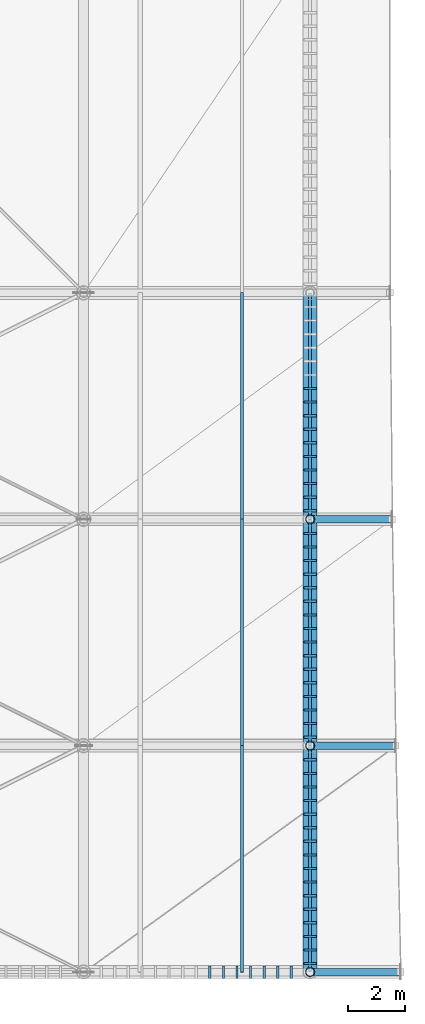
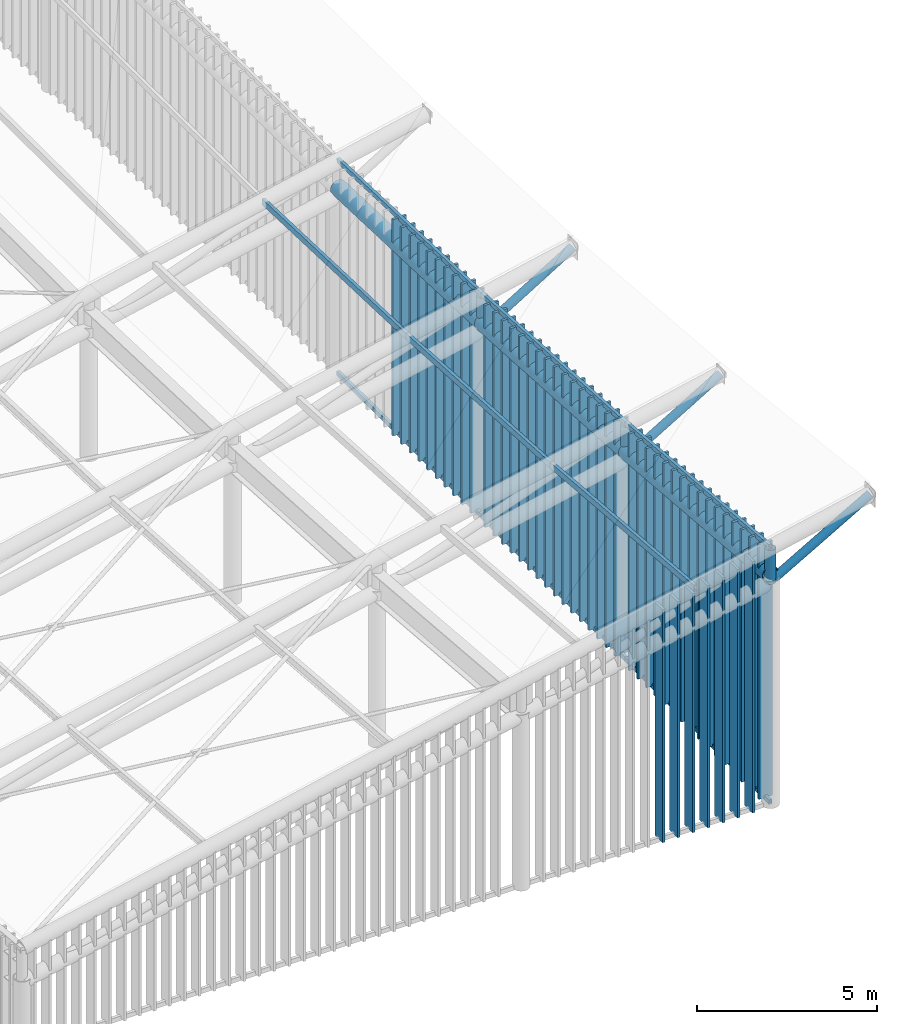
# One storey, part 6 of 25: 64 members, 3 beams.
"""IFC4 building model written with IfcOpenShell, lengths in metres."""

from ifc_helpers import new_model, si_unit, direction, frame, origin, origin_2d, place, context, subcontext, project, spatial, rectangle, hollow_rectangle, hollow_circle, extrude, material, material_profile, profile_set, type_object, element, save


model = new_model("IFC4")

# Units and contexts
model_context = context("Model", 3, precision=1e-05, world=origin(), true_north=direction((0.0, 1.0)))
body_context = subcontext(model_context, "Body", "Model", "MODEL_VIEW")
ifc_project = project(units=[si_unit("LENGTHUNIT", "METRE"), si_unit("AREAUNIT", "SQUARE_METRE"), si_unit("VOLUMEUNIT", "CUBIC_METRE"), si_unit("PLANEANGLEUNIT", "RADIAN"), si_unit("MASSUNIT", "GRAM", prefix="KILO")], contexts=[model_context])

# Site, building, storey
site_placement = place(None, origin())
site = spatial("IfcSite", under=ifc_project, at=site_placement, CompositionType="ELEMENT")
building_placement = place(site_placement, origin())
building = spatial("IfcBuilding", under=site, at=building_placement, Name="Haebicheon Civic Stadium", CompositionType="ELEMENT")
storey_placement = place(building_placement, frame((0.0, 0.0, 31.199951171875)))
storey = spatial("IfcBuildingStorey", under=building, at=storey_placement, Name="RF", CompositionType="ELEMENT", Elevation=31.199951171875)

# Members
ifc_material_1 = material(Name="White painted steel SM490", Category="steel")
ifc_material_profile_1 = material_profile(ifc_material_1, hollow_circle(Radius=0.1337890625, WallThickness=0.011962890625, at=origin_2d()), Name="CHS-267.4x12.0")
ifc_profile_set_1 = profile_set([ifc_material_profile_1], Name="White painted steel SM490")
member_type_1 = type_object("IfcMemberType", Name="BRC-CHS267", PredefinedType="BRACE", material=ifc_profile_set_1)
member_1_placement = place(storey_placement, frame((72.12109375, 48.0, 7.60107421875), z_axis=(0.867183260084, 0.0, 0.497989149911), x_axis=(0.0, 1.0, 0.0)))
element("IfcMember", 1, at=member_1_placement, inside=storey, type_object=member_type_1, material=ifc_profile_set_1, Name="BR267 diagonal brace CAN-WEST truss 1 tip", PredefinedType="BRACE", context=body_context, shape_type="SweptSolid", body=[
    extrude(hollow_circle(Radius=0.1337890625, WallThickness=0.011962890625, at=origin_2d()), origin(), (0.0, 0.0, 1.0), 3.55029296875),
])
member_2_placement = place(storey_placement, frame((72.1201171875, 56.0, 6.928955078125), z_axis=(0.859424380547, 0.0, 0.51126288162), x_axis=(0.0, 1.0, 0.0)))
element("IfcMember", 2, at=member_2_placement, inside=storey, type_object=member_type_1, material=ifc_profile_set_1, Name="BR267 diagonal brace CAN-WEST truss 2 tip", PredefinedType="BRACE", context=body_context, shape_type="SweptSolid", body=[
    extrude(hollow_circle(Radius=0.1337890625, WallThickness=0.011962890625, at=origin_2d()), origin(), (0.0, 0.0, 1.0), 3.3798828125),
])
member_3_placement = place(storey_placement, frame((72.118896484375, 64.0, 6.448974609375), z_axis=(0.853187395002, 0.0, 0.521604513984), x_axis=(0.0, 1.0, 0.0)))
element("IfcMember", 3, at=member_3_placement, inside=storey, type_object=member_type_1, material=ifc_profile_set_1, Name="BR267 diagonal brace CAN-WEST truss 3 tip", PredefinedType="BRACE", context=body_context, shape_type="SweptSolid", body=[
    extrude(hollow_circle(Radius=0.1337890625, WallThickness=0.011962890625, at=origin_2d()), origin(), (0.0, 0.0, 1.0), 3.259521484375),
])
ifc_material_2 = material(Name="Acetylated timber GL28h", Category="wood")
ifc_material_profile_2 = material_profile(ifc_material_2, rectangle(XDim=0.080078125, YDim=0.43994140625, at=origin_2d()), Name="TMB-LOUV-80x440")
ifc_profile_set_2 = profile_set([ifc_material_profile_2], Name="Acetylated timber GL28h")
member_type_2 = type_object("IfcMemberType", Name="CRN-LVR-440x80", PredefinedType="PLATE", material=ifc_profile_set_2)
member_4_placement = place(storey_placement, frame((72.0, 48.300048828125, 0.050048828125), z_axis=(0.0, 0.0, 1.0), x_axis=(0.0, 1.0, 0.0)))
element("IfcMember", 4, at=member_4_placement, inside=storey, type_object=member_type_2, material=ifc_profile_set_2, Name="Crown wind-baffle slat E.1.1", PredefinedType="PLATE", context=body_context, shape_type="SweptSolid", body=[
    extrude(rectangle(XDim=0.080078125, YDim=0.43994140625, at=origin_2d()), origin(), (0.0, 0.0, 1.0), 8.635009765625),
])
member_5_placement = place(storey_placement, frame((72.0, 48.780029296875, 0.050048828125), z_axis=(0.0, 0.0, 1.0), x_axis=(0.0, 1.0, 0.0)))
element("IfcMember", 5, at=member_5_placement, inside=storey, type_object=member_type_2, material=ifc_profile_set_2, Name="Crown wind-baffle slat E.1.2", PredefinedType="PLATE", context=body_context, shape_type="SweptSolid", body=[
    extrude(rectangle(XDim=0.080078125, YDim=0.43994140625, at=origin_2d()), origin(), (0.0, 0.0, 1.0), 8.593994140625),
])
member_6_placement = place(storey_placement, frame((72.0, 49.260009765625, 0.050048828125), z_axis=(0.0, 0.0, 1.0), x_axis=(0.0, 1.0, 0.0)))
element("IfcMember", 6, at=member_6_placement, inside=storey, type_object=member_type_2, material=ifc_profile_set_2, Name="Crown wind-baffle slat E.1.3", PredefinedType="PLATE", context=body_context, shape_type="SweptSolid", body=[
    extrude(rectangle(XDim=0.080078125, YDim=0.43994140625, at=origin_2d()), origin(), (0.0, 0.0, 1.0), 8.553955078125),
])
member_7_placement = place(storey_placement, frame((72.0, 49.739990234375, 0.050048828125), z_axis=(0.0, 0.0, 1.0), x_axis=(0.0, 1.0, 0.0)))
element("IfcMember", 7, at=member_7_placement, inside=storey, type_object=member_type_2, material=ifc_profile_set_2, Name="Crown wind-baffle slat E.1.4", PredefinedType="PLATE", context=body_context, shape_type="SweptSolid", body=[
    extrude(rectangle(XDim=0.080078125, YDim=0.43994140625, at=origin_2d()), origin(), (0.0, 0.0, 1.0), 8.512939453125),
])
member_8_placement = place(storey_placement, frame((72.0, 50.219970703125, 0.050048828125), z_axis=(0.0, 0.0, 1.0), x_axis=(0.0, 1.0, 0.0)))
element("IfcMember", 8, at=member_8_placement, inside=storey, type_object=member_type_2, material=ifc_profile_set_2, Name="Crown wind-baffle slat E.1.5", PredefinedType="PLATE", context=body_context, shape_type="SweptSolid", body=[
    extrude(rectangle(XDim=0.080078125, YDim=0.43994140625, at=origin_2d()), origin(), (0.0, 0.0, 1.0), 8.472900390625),
])
member_9_placement = place(storey_placement, frame((72.0, 50.699951171875, 0.050048828125), z_axis=(0.0, 0.0, 1.0), x_axis=(0.0, 1.0, 0.0)))
element("IfcMember", 9, at=member_9_placement, inside=storey, type_object=member_type_2, material=ifc_profile_set_2, Name="Crown wind-baffle slat E.1.6", PredefinedType="PLATE", context=body_context, shape_type="SweptSolid", body=[
    extrude(rectangle(XDim=0.080078125, YDim=0.43994140625, at=origin_2d()), origin(), (0.0, 0.0, 1.0), 8.43310546875),
])
member_10_placement = place(storey_placement, frame((72.0, 51.179931640625, 0.050048828125), z_axis=(0.0, 0.0, 1.0), x_axis=(0.0, 1.0, 0.0)))
element("IfcMember", 10, at=member_10_placement, inside=storey, type_object=member_type_2, material=ifc_profile_set_2, Name="Crown wind-baffle slat E.1.7", PredefinedType="PLATE", context=body_context, shape_type="SweptSolid", body=[
    extrude(rectangle(XDim=0.080078125, YDim=0.43994140625, at=origin_2d()), origin(), (0.0, 0.0, 1.0), 8.39208984375),
])
member_11_placement = place(storey_placement, frame((72.0, 51.659912109375, 0.050048828125), z_axis=(0.0, 0.0, 1.0), x_axis=(0.0, 1.0, 0.0)))
element("IfcMember", 11, at=member_11_placement, inside=storey, type_object=member_type_2, material=ifc_profile_set_2, Name="Crown wind-baffle slat E.1.8", PredefinedType="PLATE", context=body_context, shape_type="SweptSolid", body=[
    extrude(rectangle(XDim=0.080078125, YDim=0.43994140625, at=origin_2d()), origin(), (0.0, 0.0, 1.0), 8.35205078125),
])
member_12_placement = place(storey_placement, frame((72.0, 52.139892578125, 0.050048828125), z_axis=(0.0, 0.0, 1.0), x_axis=(0.0, 1.0, 0.0)))
element("IfcMember", 12, at=member_12_placement, inside=storey, type_object=member_type_2, material=ifc_profile_set_2, Name="Crown wind-baffle slat E.1.9", PredefinedType="PLATE", context=body_context, shape_type="SweptSolid", body=[
    extrude(rectangle(XDim=0.080078125, YDim=0.43994140625, at=origin_2d()), origin(), (0.0, 0.0, 1.0), 8.31103515625),
])
member_13_placement = place(storey_placement, frame((72.0, 52.6201171875, 0.050048828125), z_axis=(0.0, 0.0, 1.0), x_axis=(0.0, 1.0, 0.0)))
element("IfcMember", 13, at=member_13_placement, inside=storey, type_object=member_type_2, material=ifc_profile_set_2, Name="Crown wind-baffle slat E.1.10", PredefinedType="PLATE", context=body_context, shape_type="SweptSolid", body=[
    extrude(rectangle(XDim=0.080078125, YDim=0.43994140625, at=origin_2d()), origin(), (0.0, 0.0, 1.0), 8.27099609375),
])
member_14_placement = place(storey_placement, frame((72.0, 53.10009765625, 0.050048828125), z_axis=(0.0, 0.0, 1.0), x_axis=(0.0, 1.0, 0.0)))
element("IfcMember", 14, at=member_14_placement, inside=storey, type_object=member_type_2, material=ifc_profile_set_2, Name="Crown wind-baffle slat E.1.11", PredefinedType="PLATE", context=body_context, shape_type="SweptSolid", body=[
    extrude(rectangle(XDim=0.080078125, YDim=0.43994140625, at=origin_2d()), origin(), (0.0, 0.0, 1.0), 8.22998046875),
])
member_15_placement = place(storey_placement, frame((72.0, 53.580078125, 0.050048828125), z_axis=(0.0, 0.0, 1.0), x_axis=(0.0, 1.0, 0.0)))
element("IfcMember", 15, at=member_15_placement, inside=storey, type_object=member_type_2, material=ifc_profile_set_2, Name="Crown wind-baffle slat E.1.12", PredefinedType="PLATE", context=body_context, shape_type="SweptSolid", body=[
    extrude(rectangle(XDim=0.080078125, YDim=0.43994140625, at=origin_2d()), origin(), (0.0, 0.0, 1.0), 8.18994140625),
])
member_16_placement = place(storey_placement, frame((72.0, 54.06005859375, 0.050048828125), z_axis=(0.0, 0.0, 1.0), x_axis=(0.0, 1.0, 0.0)))
element("IfcMember", 16, at=member_16_placement, inside=storey, type_object=member_type_2, material=ifc_profile_set_2, Name="Crown wind-baffle slat E.1.13", PredefinedType="PLATE", context=body_context, shape_type="SweptSolid", body=[
    extrude(rectangle(XDim=0.080078125, YDim=0.43994140625, at=origin_2d()), origin(), (0.0, 0.0, 1.0), 8.14892578125),
])
member_17_placement = place(storey_placement, frame((72.0, 54.5400390625, 0.050048828125), z_axis=(0.0, 0.0, 1.0), x_axis=(0.0, 1.0, 0.0)))
element("IfcMember", 17, at=member_17_placement, inside=storey, type_object=member_type_2, material=ifc_profile_set_2, Name="Crown wind-baffle slat E.1.14", PredefinedType="PLATE", context=body_context, shape_type="SweptSolid", body=[
    extrude(rectangle(XDim=0.080078125, YDim=0.43994140625, at=origin_2d()), origin(), (0.0, 0.0, 1.0), 8.10888671875),
])
member_18_placement = place(storey_placement, frame((72.0, 55.02001953125, 0.050048828125), z_axis=(0.0, 0.0, 1.0), x_axis=(0.0, 1.0, 0.0)))
element("IfcMember", 18, at=member_18_placement, inside=storey, type_object=member_type_2, material=ifc_profile_set_2, Name="Crown wind-baffle slat E.1.15", PredefinedType="PLATE", context=body_context, shape_type="SweptSolid", body=[
    extrude(rectangle(XDim=0.080078125, YDim=0.43994140625, at=origin_2d()), origin(), (0.0, 0.0, 1.0), 8.069091796875),
])
member_19_placement = place(storey_placement, frame((72.0, 55.5, 0.050048828125), z_axis=(0.0, 0.0, 1.0), x_axis=(0.0, 1.0, 0.0)))
element("IfcMember", 19, at=member_19_placement, inside=storey, type_object=member_type_2, material=ifc_profile_set_2, Name="Crown wind-baffle slat E.1.16", PredefinedType="PLATE", context=body_context, shape_type="SweptSolid", body=[
    extrude(rectangle(XDim=0.080078125, YDim=0.43994140625, at=origin_2d()), origin(), (0.0, 0.0, 1.0), 8.028076171875),
])
member_20_placement = place(storey_placement, frame((72.0, 56.300048828125, 0.050048828125), z_axis=(0.0, 0.0, 1.0), x_axis=(0.0, 1.0, 0.0)))
element("IfcMember", 20, at=member_20_placement, inside=storey, type_object=member_type_2, material=ifc_profile_set_2, Name="Crown wind-baffle slat E.2.1", PredefinedType="PLATE", context=body_context, shape_type="SweptSolid", body=[
    extrude(rectangle(XDim=0.080078125, YDim=0.43994140625, at=origin_2d()), origin(), (0.0, 0.0, 1.0), 7.968017578125),
])
member_21_placement = place(storey_placement, frame((72.0, 56.780029296875, 0.050048828125), z_axis=(0.0, 0.0, 1.0), x_axis=(0.0, 1.0, 0.0)))
element("IfcMember", 21, at=member_21_placement, inside=storey, type_object=member_type_2, material=ifc_profile_set_2, Name="Crown wind-baffle slat E.2.2", PredefinedType="PLATE", context=body_context, shape_type="SweptSolid", body=[
    extrude(rectangle(XDim=0.080078125, YDim=0.43994140625, at=origin_2d()), origin(), (0.0, 0.0, 1.0), 7.93896484375),
])
member_22_placement = place(storey_placement, frame((72.0, 57.260009765625, 0.050048828125), z_axis=(0.0, 0.0, 1.0), x_axis=(0.0, 1.0, 0.0)))
element("IfcMember", 22, at=member_22_placement, inside=storey, type_object=member_type_2, material=ifc_profile_set_2, Name="Crown wind-baffle slat E.2.3", PredefinedType="PLATE", context=body_context, shape_type="SweptSolid", body=[
    extrude(rectangle(XDim=0.080078125, YDim=0.43994140625, at=origin_2d()), origin(), (0.0, 0.0, 1.0), 7.909912109375),
])
member_23_placement = place(storey_placement, frame((72.0, 57.739990234375, 0.050048828125), z_axis=(0.0, 0.0, 1.0), x_axis=(0.0, 1.0, 0.0)))
element("IfcMember", 23, at=member_23_placement, inside=storey, type_object=member_type_2, material=ifc_profile_set_2, Name="Crown wind-baffle slat E.2.4", PredefinedType="PLATE", context=body_context, shape_type="SweptSolid", body=[
    extrude(rectangle(XDim=0.080078125, YDim=0.43994140625, at=origin_2d()), origin(), (0.0, 0.0, 1.0), 7.881103515625),
])
member_24_placement = place(storey_placement, frame((72.0, 58.219970703125, 0.050048828125), z_axis=(0.0, 0.0, 1.0), x_axis=(0.0, 1.0, 0.0)))
element("IfcMember", 24, at=member_24_placement, inside=storey, type_object=member_type_2, material=ifc_profile_set_2, Name="Crown wind-baffle slat E.2.5", PredefinedType="PLATE", context=body_context, shape_type="SweptSolid", body=[
    extrude(rectangle(XDim=0.080078125, YDim=0.43994140625, at=origin_2d()), origin(), (0.0, 0.0, 1.0), 7.85302734375),
])
member_25_placement = place(storey_placement, frame((72.0, 58.699951171875, 0.050048828125), z_axis=(0.0, 0.0, 1.0), x_axis=(0.0, 1.0, 0.0)))
element("IfcMember", 25, at=member_25_placement, inside=storey, type_object=member_type_2, material=ifc_profile_set_2, Name="Crown wind-baffle slat E.2.6", PredefinedType="PLATE", context=body_context, shape_type="SweptSolid", body=[
    extrude(rectangle(XDim=0.080078125, YDim=0.43994140625, at=origin_2d()), origin(), (0.0, 0.0, 1.0), 7.823974609375),
])
member_26_placement = place(storey_placement, frame((72.0, 59.179931640625, 0.050048828125), z_axis=(0.0, 0.0, 1.0), x_axis=(0.0, 1.0, 0.0)))
element("IfcMember", 26, at=member_26_placement, inside=storey, type_object=member_type_2, material=ifc_profile_set_2, Name="Crown wind-baffle slat E.2.7", PredefinedType="PLATE", context=body_context, shape_type="SweptSolid", body=[
    extrude(rectangle(XDim=0.080078125, YDim=0.43994140625, at=origin_2d()), origin(), (0.0, 0.0, 1.0), 7.794921875),
])
member_27_placement = place(storey_placement, frame((72.0, 59.659912109375, 0.050048828125), z_axis=(0.0, 0.0, 1.0), x_axis=(0.0, 1.0, 0.0)))
element("IfcMember", 27, at=member_27_placement, inside=storey, type_object=member_type_2, material=ifc_profile_set_2, Name="Crown wind-baffle slat E.2.8", PredefinedType="PLATE", context=body_context, shape_type="SweptSolid", body=[
    extrude(rectangle(XDim=0.080078125, YDim=0.43994140625, at=origin_2d()), origin(), (0.0, 0.0, 1.0), 7.76611328125),
])
member_28_placement = place(storey_placement, frame((72.0, 60.139892578125, 0.050048828125), z_axis=(0.0, 0.0, 1.0), x_axis=(0.0, 1.0, 0.0)))
element("IfcMember", 28, at=member_28_placement, inside=storey, type_object=member_type_2, material=ifc_profile_set_2, Name="Crown wind-baffle slat E.2.9", PredefinedType="PLATE", context=body_context, shape_type="SweptSolid", body=[
    extrude(rectangle(XDim=0.080078125, YDim=0.43994140625, at=origin_2d()), origin(), (0.0, 0.0, 1.0), 7.737060546875),
])
member_29_placement = place(storey_placement, frame((72.0, 60.6201171875, 0.050048828125), z_axis=(0.0, 0.0, 1.0), x_axis=(0.0, 1.0, 0.0)))
element("IfcMember", 29, at=member_29_placement, inside=storey, type_object=member_type_2, material=ifc_profile_set_2, Name="Crown wind-baffle slat E.2.10", PredefinedType="PLATE", context=body_context, shape_type="SweptSolid", body=[
    extrude(rectangle(XDim=0.080078125, YDim=0.43994140625, at=origin_2d()), origin(), (0.0, 0.0, 1.0), 7.7080078125),
])
member_30_placement = place(storey_placement, frame((72.0, 61.10009765625, 0.050048828125), z_axis=(0.0, 0.0, 1.0), x_axis=(0.0, 1.0, 0.0)))
element("IfcMember", 30, at=member_30_placement, inside=storey, type_object=member_type_2, material=ifc_profile_set_2, Name="Crown wind-baffle slat E.2.11", PredefinedType="PLATE", context=body_context, shape_type="SweptSolid", body=[
    extrude(rectangle(XDim=0.080078125, YDim=0.43994140625, at=origin_2d()), origin(), (0.0, 0.0, 1.0), 7.678955078125),
])
member_31_placement = place(storey_placement, frame((72.0, 61.580078125, 0.050048828125), z_axis=(0.0, 0.0, 1.0), x_axis=(0.0, 1.0, 0.0)))
element("IfcMember", 31, at=member_31_placement, inside=storey, type_object=member_type_2, material=ifc_profile_set_2, Name="Crown wind-baffle slat E.2.12", PredefinedType="PLATE", context=body_context, shape_type="SweptSolid", body=[
    extrude(rectangle(XDim=0.080078125, YDim=0.43994140625, at=origin_2d()), origin(), (0.0, 0.0, 1.0), 7.65087890625),
])
member_32_placement = place(storey_placement, frame((72.0, 62.06005859375, 0.050048828125), z_axis=(0.0, 0.0, 1.0), x_axis=(0.0, 1.0, 0.0)))
element("IfcMember", 32, at=member_32_placement, inside=storey, type_object=member_type_2, material=ifc_profile_set_2, Name="Crown wind-baffle slat E.2.13", PredefinedType="PLATE", context=body_context, shape_type="SweptSolid", body=[
    extrude(rectangle(XDim=0.080078125, YDim=0.43994140625, at=origin_2d()), origin(), (0.0, 0.0, 1.0), 7.6220703125),
])
member_33_placement = place(storey_placement, frame((72.0, 62.5400390625, 0.050048828125), z_axis=(0.0, 0.0, 1.0), x_axis=(0.0, 1.0, 0.0)))
element("IfcMember", 33, at=member_33_placement, inside=storey, type_object=member_type_2, material=ifc_profile_set_2, Name="Crown wind-baffle slat E.2.14", PredefinedType="PLATE", context=body_context, shape_type="SweptSolid", body=[
    extrude(rectangle(XDim=0.080078125, YDim=0.43994140625, at=origin_2d()), origin(), (0.0, 0.0, 1.0), 7.593017578125),
])
member_34_placement = place(storey_placement, frame((72.0, 63.02001953125, 0.050048828125), z_axis=(0.0, 0.0, 1.0), x_axis=(0.0, 1.0, 0.0)))
element("IfcMember", 34, at=member_34_placement, inside=storey, type_object=member_type_2, material=ifc_profile_set_2, Name="Crown wind-baffle slat E.2.15", PredefinedType="PLATE", context=body_context, shape_type="SweptSolid", body=[
    extrude(rectangle(XDim=0.080078125, YDim=0.43994140625, at=origin_2d()), origin(), (0.0, 0.0, 1.0), 7.56396484375),
])
member_35_placement = place(storey_placement, frame((72.0, 63.5, 0.050048828125), z_axis=(0.0, 0.0, 1.0), x_axis=(0.0, 1.0, 0.0)))
element("IfcMember", 35, at=member_35_placement, inside=storey, type_object=member_type_2, material=ifc_profile_set_2, Name="Crown wind-baffle slat E.2.16", PredefinedType="PLATE", context=body_context, shape_type="SweptSolid", body=[
    extrude(rectangle(XDim=0.080078125, YDim=0.43994140625, at=origin_2d()), origin(), (0.0, 0.0, 1.0), 7.534912109375),
])
member_36_placement = place(storey_placement, frame((72.0, 64.300048828125, 0.050048828125), z_axis=(0.0, 0.0, 1.0), x_axis=(0.0, 1.0, 0.0)))
element("IfcMember", 36, at=member_36_placement, inside=storey, type_object=member_type_2, material=ifc_profile_set_2, Name="Crown wind-baffle slat E.3.1", PredefinedType="PLATE", context=body_context, shape_type="SweptSolid", body=[
    extrude(rectangle(XDim=0.080078125, YDim=0.43994140625, at=origin_2d()), origin(), (0.0, 0.0, 1.0), 7.493896484375),
])
member_37_placement = place(storey_placement, frame((72.0, 64.780029296875, 0.050048828125), z_axis=(0.0, 0.0, 1.0), x_axis=(0.0, 1.0, 0.0)))
element("IfcMember", 37, at=member_37_placement, inside=storey, type_object=member_type_2, material=ifc_profile_set_2, Name="Crown wind-baffle slat E.3.2", PredefinedType="PLATE", context=body_context, shape_type="SweptSolid", body=[
    extrude(rectangle(XDim=0.080078125, YDim=0.43994140625, at=origin_2d()), origin(), (0.0, 0.0, 1.0), 7.47705078125),
])
member_38_placement = place(storey_placement, frame((72.0, 65.260009765625, 0.050048828125), z_axis=(0.0, 0.0, 1.0), x_axis=(0.0, 1.0, 0.0)))
element("IfcMember", 38, at=member_38_placement, inside=storey, type_object=member_type_2, material=ifc_profile_set_2, Name="Crown wind-baffle slat E.3.3", PredefinedType="PLATE", context=body_context, shape_type="SweptSolid", body=[
    extrude(rectangle(XDim=0.080078125, YDim=0.43994140625, at=origin_2d()), origin(), (0.0, 0.0, 1.0), 7.458984375),
])
member_39_placement = place(storey_placement, frame((72.0, 65.739990234375, 0.050048828125), z_axis=(0.0, 0.0, 1.0), x_axis=(0.0, 1.0, 0.0)))
element("IfcMember", 39, at=member_39_placement, inside=storey, type_object=member_type_2, material=ifc_profile_set_2, Name="Crown wind-baffle slat E.3.4", PredefinedType="PLATE", context=body_context, shape_type="SweptSolid", body=[
    extrude(rectangle(XDim=0.080078125, YDim=0.43994140625, at=origin_2d()), origin(), (0.0, 0.0, 1.0), 7.44189453125),
])
member_40_placement = place(storey_placement, frame((72.0, 66.219970703125, 0.050048828125), z_axis=(0.0, 0.0, 1.0), x_axis=(0.0, 1.0, 0.0)))
element("IfcMember", 40, at=member_40_placement, inside=storey, type_object=member_type_2, material=ifc_profile_set_2, Name="Crown wind-baffle slat E.3.5", PredefinedType="PLATE", context=body_context, shape_type="SweptSolid", body=[
    extrude(rectangle(XDim=0.080078125, YDim=0.43994140625, at=origin_2d()), origin(), (0.0, 0.0, 1.0), 7.425048828125),
])
member_41_placement = place(storey_placement, frame((72.0, 66.699951171875, 0.050048828125), z_axis=(0.0, 0.0, 1.0), x_axis=(0.0, 1.0, 0.0)))
element("IfcMember", 41, at=member_41_placement, inside=storey, type_object=member_type_2, material=ifc_profile_set_2, Name="Crown wind-baffle slat E.3.6", PredefinedType="PLATE", context=body_context, shape_type="SweptSolid", body=[
    extrude(rectangle(XDim=0.080078125, YDim=0.43994140625, at=origin_2d()), origin(), (0.0, 0.0, 1.0), 7.406982421875),
])
member_42_placement = place(storey_placement, frame((72.0, 67.179931640625, 0.050048828125), z_axis=(0.0, 0.0, 1.0), x_axis=(0.0, 1.0, 0.0)))
element("IfcMember", 42, at=member_42_placement, inside=storey, type_object=member_type_2, material=ifc_profile_set_2, Name="Crown wind-baffle slat E.3.7", PredefinedType="PLATE", context=body_context, shape_type="SweptSolid", body=[
    extrude(rectangle(XDim=0.080078125, YDim=0.43994140625, at=origin_2d()), origin(), (0.0, 0.0, 1.0), 7.389892578125),
])
member_43_placement = place(storey_placement, frame((72.0, 67.659912109375, 0.050048828125), z_axis=(0.0, 0.0, 1.0), x_axis=(0.0, 1.0, 0.0)))
element("IfcMember", 43, at=member_43_placement, inside=storey, type_object=member_type_2, material=ifc_profile_set_2, Name="Crown wind-baffle slat E.3.8", PredefinedType="PLATE", context=body_context, shape_type="SweptSolid", body=[
    extrude(rectangle(XDim=0.080078125, YDim=0.43994140625, at=origin_2d()), origin(), (0.0, 0.0, 1.0), 7.373046875),
])
member_44_placement = place(storey_placement, frame((72.0, 68.139892578125, 0.050048828125), z_axis=(0.0, 0.0, 1.0), x_axis=(0.0, 1.0, 0.0)))
element("IfcMember", 44, at=member_44_placement, inside=storey, type_object=member_type_2, material=ifc_profile_set_2, Name="Crown wind-baffle slat E.3.9", PredefinedType="PLATE", context=body_context, shape_type="SweptSolid", body=[
    extrude(rectangle(XDim=0.080078125, YDim=0.43994140625, at=origin_2d()), origin(), (0.0, 0.0, 1.0), 7.35498046875),
])
member_45_placement = place(storey_placement, frame((72.0, 68.6201171875, 0.050048828125), z_axis=(0.0, 0.0, 1.0), x_axis=(0.0, 1.0, 0.0)))
element("IfcMember", 45, at=member_45_placement, inside=storey, type_object=member_type_2, material=ifc_profile_set_2, Name="Crown wind-baffle slat E.3.10", PredefinedType="PLATE", context=body_context, shape_type="SweptSolid", body=[
    extrude(rectangle(XDim=0.080078125, YDim=0.43994140625, at=origin_2d()), origin(), (0.0, 0.0, 1.0), 7.337890625),
])
member_46_placement = place(storey_placement, frame((68.4599609375, 48.0, 0.050048828125), z_axis=(0.0, 0.0, 1.0), x_axis=(1.0, 0.0, 0.0)))
element("IfcMember", 46, at=member_46_placement, inside=storey, type_object=member_type_2, material=ifc_profile_set_2, Name="Crown gable wind-baffle slat S.43", PredefinedType="PLATE", context=body_context, shape_type="SweptSolid", body=[
    extrude(rectangle(XDim=0.080078125, YDim=0.43994140625, at=origin_2d()), origin(), (0.0, 0.0, 1.0), 7.89892578125),
])
member_47_placement = place(storey_placement, frame((68.93994140625, 48.0, 0.050048828125), z_axis=(0.0, 0.0, 1.0), x_axis=(1.0, 0.0, 0.0)))
element("IfcMember", 47, at=member_47_placement, inside=storey, type_object=member_type_2, material=ifc_profile_set_2, Name="Crown gable wind-baffle slat S.44", PredefinedType="PLATE", context=body_context, shape_type="SweptSolid", body=[
    extrude(rectangle(XDim=0.080078125, YDim=0.43994140625, at=origin_2d()), origin(), (0.0, 0.0, 1.0), 8.001953125),
])
member_48_placement = place(storey_placement, frame((69.419921875, 48.0, 0.050048828125), z_axis=(0.0, 0.0, 1.0), x_axis=(1.0, 0.0, 0.0)))
element("IfcMember", 48, at=member_48_placement, inside=storey, type_object=member_type_2, material=ifc_profile_set_2, Name="Crown gable wind-baffle slat S.45", PredefinedType="PLATE", context=body_context, shape_type="SweptSolid", body=[
    extrude(rectangle(XDim=0.080078125, YDim=0.43994140625, at=origin_2d()), origin(), (0.0, 0.0, 1.0), 8.10498046875),
])
member_49_placement = place(storey_placement, frame((69.89990234375, 48.0, 0.050048828125), z_axis=(0.0, 0.0, 1.0), x_axis=(1.0, 0.0, 0.0)))
element("IfcMember", 49, at=member_49_placement, inside=storey, type_object=member_type_2, material=ifc_profile_set_2, Name="Crown gable wind-baffle slat S.46", PredefinedType="PLATE", context=body_context, shape_type="SweptSolid", body=[
    extrude(rectangle(XDim=0.080078125, YDim=0.43994140625, at=origin_2d()), origin(), (0.0, 0.0, 1.0), 8.2080078125),
])
member_50_placement = place(storey_placement, frame((70.3798828125, 48.0, 0.050048828125), z_axis=(0.0, 0.0, 1.0), x_axis=(1.0, 0.0, 0.0)))
element("IfcMember", 50, at=member_50_placement, inside=storey, type_object=member_type_2, material=ifc_profile_set_2, Name="Crown gable wind-baffle slat S.47", PredefinedType="PLATE", context=body_context, shape_type="SweptSolid", body=[
    extrude(rectangle(XDim=0.080078125, YDim=0.43994140625, at=origin_2d()), origin(), (0.0, 0.0, 1.0), 8.31201171875),
])
member_51_placement = place(storey_placement, frame((70.860107421875, 48.0, 0.050048828125), z_axis=(0.0, 0.0, 1.0), x_axis=(1.0, 0.0, 0.0)))
element("IfcMember", 51, at=member_51_placement, inside=storey, type_object=member_type_2, material=ifc_profile_set_2, Name="Crown gable wind-baffle slat S.48", PredefinedType="PLATE", context=body_context, shape_type="SweptSolid", body=[
    extrude(rectangle(XDim=0.080078125, YDim=0.43994140625, at=origin_2d()), origin(), (0.0, 0.0, 1.0), 8.4150390625),
])
member_52_placement = place(storey_placement, frame((71.340087890625, 48.0, 0.050048828125), z_axis=(0.0, 0.0, 1.0), x_axis=(1.0, 0.0, 0.0)))
element("IfcMember", 52, at=member_52_placement, inside=storey, type_object=member_type_2, material=ifc_profile_set_2, Name="Crown gable wind-baffle slat S.49", PredefinedType="PLATE", context=body_context, shape_type="SweptSolid", body=[
    extrude(rectangle(XDim=0.080078125, YDim=0.43994140625, at=origin_2d()), origin(), (0.0, 0.0, 1.0), 8.51806640625),
])
ifc_material_3 = material(Name="White painted steel SM490", Category="steel")
ifc_material_profile_3 = material_profile(ifc_material_3, hollow_rectangle(XDim=0.10009765625, YDim=0.199951171875, WallThickness=0.008056640625, at=origin_2d()), Name="RHS-200x100x8.0")
ifc_profile_set_3 = profile_set([ifc_material_profile_3], Name="White painted steel SM490")
member_type_3 = type_object("IfcMemberType", Name="PRL-RHS200", PredefinedType="RAFTER", material=ifc_profile_set_3)
member_53_placement = place(storey_placement, frame((69.60009765625, 48.0, 8.149169921875), z_axis=(0.0, 0.996468998063, -0.083961514394), x_axis=(-1.0, 0.0, 0.0)))
element("IfcMember", 53, at=member_53_placement, inside=storey, type_object=member_type_3, material=ifc_profile_set_3, Name="CAN-WEST canopy purlin bay 1 (90%)", PredefinedType="RAFTER", context=body_context, shape_type="SweptSolid", body=[
    extrude(hollow_rectangle(XDim=0.10009765625, YDim=0.199951171875, WallThickness=0.008056640625, at=origin_2d()), origin(), (0.0, 0.0, 1.0), 8.0283203125),
])
member_54_placement = place(storey_placement, frame((69.60009765625, 56.0, 7.47509765625), z_axis=(0.0, 0.998197699277, -0.060011275256), x_axis=(-1.0, 0.0, 0.0)))
element("IfcMember", 54, at=member_54_placement, inside=storey, type_object=member_type_3, material=ifc_profile_set_3, Name="CAN-WEST canopy purlin bay 2 (90%)", PredefinedType="RAFTER", context=body_context, shape_type="SweptSolid", body=[
    extrude(hollow_rectangle(XDim=0.10009765625, YDim=0.199951171875, WallThickness=0.008056640625, at=origin_2d()), origin(), (0.0, 0.0, 1.0), 8.014404296875),
])
member_55_placement = place(storey_placement, frame((69.60009765625, 64.0, 6.994140625), z_axis=(0.0, 0.999347848438, -0.03610924843), x_axis=(-1.0, 0.0, 0.0)))
element("IfcMember", 55, at=member_55_placement, inside=storey, type_object=member_type_3, material=ifc_profile_set_3, Name="CAN-WEST canopy purlin bay 3 (90%)", PredefinedType="RAFTER", context=body_context, shape_type="SweptSolid", body=[
    extrude(hollow_rectangle(XDim=0.10009765625, YDim=0.199951171875, WallThickness=0.008056640625, at=origin_2d()), origin(), (0.0, 0.0, 1.0), 8.005126953125),
])

# Beams
ifc_material_4 = material(Name="White painted steel SM490", Category="steel")
ifc_material_profile_4 = material_profile(ifc_material_4, hollow_circle(Radius=0.25390625, WallThickness=0.02490234375, at=origin_2d()), Name="CHS-508.0x25.0")
ifc_profile_set_4 = profile_set([ifc_material_profile_4], Name="White painted steel SM490")
beam_type = type_object("IfcBeamType", Name="RB-ST-CHS508", PredefinedType="USERDEFINED", material=ifc_profile_set_4)
beam_1_placement = place(storey_placement, frame((72.0, 48.0, 7.781005859375), z_axis=(0.0, 0.996468998063, -0.083961514394), x_axis=(-1.0, 0.0, 0.0)))
element("IfcBeam", 56, at=beam_1_placement, inside=storey, type_object=beam_type, material=ifc_profile_set_4, Name="CAN-WEST polygonal ring beam RB-PIR bay 1", ObjectType="RING BEAM", PredefinedType="USERDEFINED", context=body_context, shape_type="SweptSolid", body=[
    extrude(hollow_circle(Radius=0.25390625, WallThickness=0.02490234375, at=origin_2d()), origin(), (0.0, 0.0, 1.0), 8.0283203125),
])
beam_2_placement = place(storey_placement, frame((72.0, 56.0, 7.10693359375), z_axis=(0.0, 0.998197699277, -0.060011275256), x_axis=(-1.0, 0.0, 0.0)))
element("IfcBeam", 57, at=beam_2_placement, inside=storey, type_object=beam_type, material=ifc_profile_set_4, Name="CAN-WEST polygonal ring beam RB-PIR bay 2", ObjectType="RING BEAM", PredefinedType="USERDEFINED", context=body_context, shape_type="SweptSolid", body=[
    extrude(hollow_circle(Radius=0.25390625, WallThickness=0.02490234375, at=origin_2d()), origin(), (0.0, 0.0, 1.0), 8.014404296875),
])
beam_3_placement = place(storey_placement, frame((72.0, 64.0, 6.6259765625), z_axis=(0.0, 0.999348948505, -0.036078790469), x_axis=(-1.0, 0.0, 0.0)))
element("IfcBeam", 58, at=beam_3_placement, inside=storey, type_object=beam_type, material=ifc_profile_set_4, Name="CAN-WEST polygonal ring beam RB-PIR bay 3", ObjectType="RING BEAM", PredefinedType="USERDEFINED", context=body_context, shape_type="SweptSolid", body=[
    extrude(hollow_circle(Radius=0.25390625, WallThickness=0.02490234375, at=origin_2d()), origin(), (0.0, 0.0, 1.0), 8.005126953125),
])

# Members
ifc_material_5 = material(Name="White painted steel SM490", Category="steel")
ifc_material_profile_5 = material_profile(ifc_material_5, hollow_circle(Radius=0.1591796875, WallThickness=0.013916015625, at=origin_2d()), Name="CHS-318.5x14.0")
ifc_profile_set_5 = profile_set([ifc_material_profile_5], Name="White painted steel SM490")
member_type_4 = type_object("IfcMemberType", Name="STR-CHS318", PredefinedType="STRUT", material=ifc_profile_set_5)
for number, where, z_axis, x_axis, name in (
    (59, (72.0, 48.0, 7.531005859375), (0.0, 0.0, 1.0), (1.0, 0.0, 0.0), "ST318 web strut CAN-WEST truss 1 VR"),
    (60, (72.0, 56.0, 6.85693359375), (0.0, 0.0, 1.0), (1.0, 0.0, 0.0), "ST318 web strut CAN-WEST truss 2 VR"),
    (61, (72.0, 64.0, 6.3759765625), (0.0, 0.0, 1.0), (1.0, 0.0, 0.0), "ST318 web strut CAN-WEST truss 3 VR"),
):
    element("IfcMember", number, at=place(storey_placement, frame(where, z_axis=z_axis, x_axis=x_axis)), inside=storey, type_object=member_type_4, material=ifc_profile_set_5, Name=name, PredefinedType="STRUT", context=body_context, shape_type="SweptSolid", body=[
        extrude(hollow_circle(Radius=0.1591796875, WallThickness=0.013916015625, at=origin_2d()), origin(), (0.0, 0.0, 1.0), 1.150146484375),
    ])
ifc_material_6 = material(Name="Steel SM355 (S355)", Category="steel")
ifc_material_profile_6 = material_profile(ifc_material_6, hollow_rectangle(XDim=0.10009765625, YDim=0.14990234375, WallThickness=0.006103515625, at=origin_2d()), Name="RHS-150x100x6.0")
ifc_profile_set_6 = profile_set([ifc_material_profile_6], Name="Steel SM355 (S355)")
member_type_5 = type_object("IfcMemberType", Name="SUB-RHS150", PredefinedType="STRINGER", material=ifc_profile_set_6)
member_56_placement = place(storey_placement, frame((72.0, 48.0, 0.050048828125), z_axis=(0.0, 1.0, 0.0), x_axis=(-1.0, 0.0, 0.0)))
element("IfcMember", 62, at=member_56_placement, inside=storey, type_object=member_type_5, material=ifc_profile_set_6, Name="Crown baffle bottom rail E.1", PredefinedType="STRINGER", context=body_context, shape_type="SweptSolid", body=[
    extrude(hollow_rectangle(XDim=0.10009765625, YDim=0.14990234375, WallThickness=0.006103515625, at=origin_2d()), origin(), (0.0, 0.0, 1.0), 8.0),
])
member_57_placement = place(storey_placement, frame((72.0, 48.0, 8.7099609375), z_axis=(0.0, 0.996471541851, -0.083931318833), x_axis=(-1.0, 0.0, 0.0)))
element("IfcMember", 63, at=member_57_placement, inside=storey, type_object=member_type_5, material=ifc_profile_set_6, Name="Crown baffle top rail E.1", PredefinedType="STRINGER", context=body_context, shape_type="SweptSolid", body=[
    extrude(hollow_rectangle(XDim=0.10009765625, YDim=0.14990234375, WallThickness=0.006103515625, at=origin_2d()), origin(), (0.0, 0.0, 1.0), 8.0283203125),
])
member_58_placement = place(storey_placement, frame((72.0, 56.0, 0.050048828125), z_axis=(0.0, 1.0, 0.0), x_axis=(-1.0, 0.0, 0.0)))
element("IfcMember", 64, at=member_58_placement, inside=storey, type_object=member_type_5, material=ifc_profile_set_6, Name="Crown baffle bottom rail E.2", PredefinedType="STRINGER", context=body_context, shape_type="SweptSolid", body=[
    extrude(hollow_rectangle(XDim=0.10009765625, YDim=0.14990234375, WallThickness=0.006103515625, at=origin_2d()), origin(), (0.0, 0.0, 1.0), 8.0),
])
member_59_placement = place(storey_placement, frame((72.0, 56.0, 8.0361328125), z_axis=(0.0, 0.998195874016, -0.060041628042), x_axis=(-1.0, 0.0, 0.0)))
element("IfcMember", 65, at=member_59_placement, inside=storey, type_object=member_type_5, material=ifc_profile_set_6, Name="Crown baffle top rail E.2", PredefinedType="STRINGER", context=body_context, shape_type="SweptSolid", body=[
    extrude(hollow_rectangle(XDim=0.10009765625, YDim=0.14990234375, WallThickness=0.006103515625, at=origin_2d()), origin(), (0.0, 0.0, 1.0), 8.014404296875),
])
member_60_placement = place(storey_placement, frame((72.0, 64.0, 0.050048828125), z_axis=(0.0, 1.0, 0.0), x_axis=(-1.0, 0.0, 0.0)))
element("IfcMember", 66, at=member_60_placement, inside=storey, type_object=member_type_5, material=ifc_profile_set_6, Name="Crown baffle bottom rail E.3", PredefinedType="STRINGER", context=body_context, shape_type="SweptSolid", body=[
    extrude(hollow_rectangle(XDim=0.10009765625, YDim=0.14990234375, WallThickness=0.006103515625, at=origin_2d()), origin(), (0.0, 0.0, 1.0), 8.0),
])
member_61_placement = place(storey_placement, frame((72.0, 64.0, 7.554931640625), z_axis=(0.0, 0.999348948505, -0.036078790469), x_axis=(-1.0, 0.0, 0.0)))
element("IfcMember", 67, at=member_61_placement, inside=storey, type_object=member_type_5, material=ifc_profile_set_6, Name="Crown baffle top rail E.3", PredefinedType="STRINGER", context=body_context, shape_type="SweptSolid", body=[
    extrude(hollow_rectangle(XDim=0.10009765625, YDim=0.14990234375, WallThickness=0.006103515625, at=origin_2d()), origin(), (0.0, 0.0, 1.0), 8.005126953125),
])

save(model, "model.ifc")
